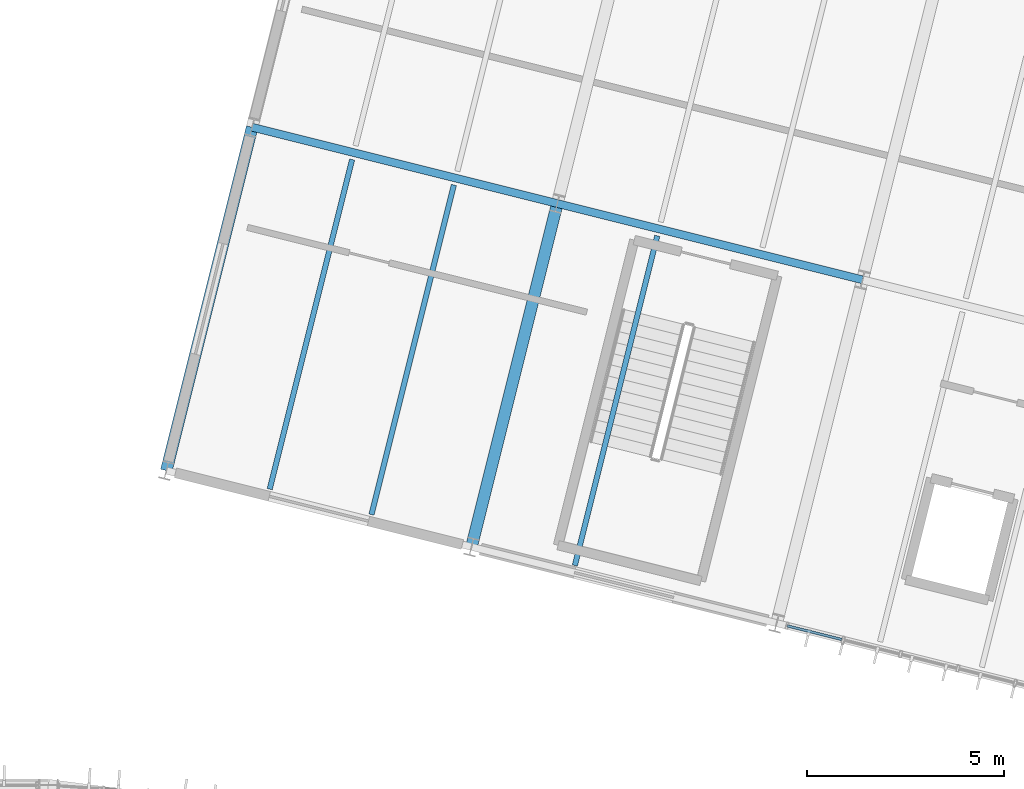
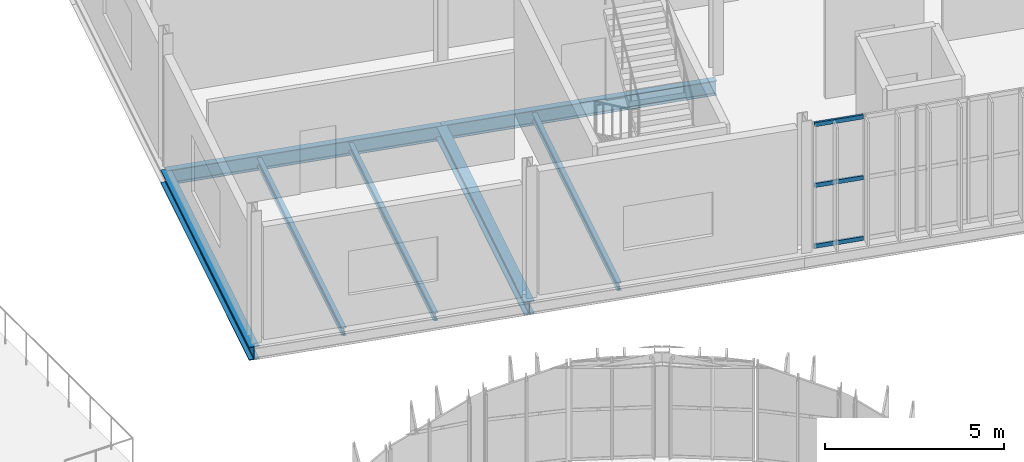
# One storey, part 78 of 152: 7 beams, 3 members, 1 element without a shape of its own.
"""IFC4 building model written with IfcOpenShell, lengths in metres."""

from ifc_helpers import new_model, si_unit, derived_unit, direction, frame, origin, origin_2d, place, context, subcontext, project, spatial, hollow_rectangle, i_section, extrude, material, material_profile, profile_set, type_object, element, aggregate, save


model = new_model("IFC4")

# Units and contexts
model_context = context("Model", 3, precision=1e-05, world=origin(), true_north=direction((0.0, 1.0)))
body_context = subcontext(model_context, "Body", "Model", "MODEL_VIEW")
ifc_project = project(units=[si_unit("LENGTHUNIT", "METRE"), si_unit("AREAUNIT", "SQUARE_METRE"), si_unit("VOLUMEUNIT", "CUBIC_METRE"), si_unit("PLANEANGLEUNIT", "RADIAN"), si_unit("MASSUNIT", "GRAM", prefix="KILO"), si_unit("THERMODYNAMICTEMPERATUREUNIT", "KELVIN"), si_unit("TIMEUNIT", "SECOND"), derived_unit("THERMALTRANSMITTANCEUNIT", [(si_unit("MASSUNIT", "GRAM", prefix="KILO"), 1), (si_unit("THERMODYNAMICTEMPERATUREUNIT", "KELVIN"), -1), (si_unit("TIMEUNIT", "SECOND"), -3)])], contexts=[model_context])

# Site, building, storey
site_placement = place(None, origin())
site = spatial("IfcSite", under=ifc_project, at=site_placement, CompositionType="ELEMENT")
building_placement = place(site_placement, origin())
building = spatial("IfcBuilding", under=site, at=building_placement, Name="Cambertide Market Hall", CompositionType="ELEMENT")
storey_placement = place(building_placement, frame((0.0, 0.0, 5.39990234375)))
storey = spatial("IfcBuildingStorey", under=building, at=storey_placement, Name="L02", CompositionType="ELEMENT", Elevation=5.39990234375)

# Curtain wall, members
ifc_material_1 = material(Name="Marine Anodized Aluminium 6063-T6 AA25", Category="aluminium")
curtain_wall_type = type_object("IfcCurtainWallType", Name="Cooking School Classroom Curtain Wall", PredefinedType="USERDEFINED", material=ifc_material_1)
curtain_wall_placement = place(storey_placement, origin())
curtain_wall = element("IfcCurtainWall", 1, at=curtain_wall_placement, inside=storey, type_object=curtain_wall_type, Name="Level 2 Curtain Wall CW-V4S-L02-3", ObjectType="UNITIZED CURTAIN WALL", PredefinedType="USERDEFINED")
ifc_material_2 = material(Name="Champagne Marine Anodized Aluminium 6063-T6 AA25", Category="aluminium")
ifc_material_profile_1 = material_profile(ifc_material_2, hollow_rectangle(XDim=0.06494140625, YDim=0.139892578125, WallThickness=0.00341796875, at=origin_2d()), Name="ALU TRANSOM 65x140")
ifc_profile_set_1 = profile_set([ifc_material_profile_1], Name="Champagne Marine Anodized Aluminium 6063-T6 AA25")
member_type = type_object("IfcMemberType", Name="Curtain Wall Transom ALU TRANSOM 65x140", PredefinedType="USERDEFINED", material=ifc_profile_set_1)
member_1_placement = place(storey_placement, frame((125.17529296875, 95.7060546875, 0.03515625), z_axis=(-0.970122324991, 0.242616311393, 0.0), x_axis=(-0.242616311393, -0.970122324991, 0.0)))
member_1 = element("IfcMember", 2, at=member_1_placement, type_object=member_type, Name="CW-V4S-L02-3 Transom 1-5", ObjectType="TRANSOM", PredefinedType="USERDEFINED", context=body_context, shape_type="SweptSolid", body=[
    extrude(hollow_rectangle(XDim=0.06494140625, YDim=0.139892578125, WallThickness=0.00341796875, at=origin_2d()), origin(), (0.0, 0.0, 1.0), 1.423828125),
])
member_2_placement = place(storey_placement, frame((125.17529296875, 95.7060546875, 2.110107421875), z_axis=(-0.970122324991, 0.242616311393, 0.0), x_axis=(-0.242616311393, -0.970122324991, 0.0)))
member_2 = element("IfcMember", 3, at=member_2_placement, type_object=member_type, Name="CW-V4S-L02-3 Transom 2-5", ObjectType="TRANSOM", PredefinedType="USERDEFINED", context=body_context, shape_type="SweptSolid", body=[
    extrude(hollow_rectangle(XDim=0.06494140625, YDim=0.139892578125, WallThickness=0.00341796875, at=origin_2d()), origin(), (0.0, 0.0, 1.0), 1.423828125),
])
member_3_placement = place(storey_placement, frame((125.17529296875, 95.7060546875, 4.18505859375), z_axis=(-0.970122324991, 0.242616311393, 0.0), x_axis=(-0.242616311393, -0.970122324991, 0.0)))
member_3 = element("IfcMember", 4, at=member_3_placement, type_object=member_type, Name="CW-V4S-L02-3 Transom 3-5", ObjectType="TRANSOM", PredefinedType="USERDEFINED", context=body_context, shape_type="SweptSolid", body=[
    extrude(hollow_rectangle(XDim=0.06494140625, YDim=0.139892578125, WallThickness=0.00341796875, at=origin_2d()), origin(), (0.0, 0.0, 1.0), 1.423828125),
])
aggregate(curtain_wall, [member_1, member_2, member_3])

# Beams
ifc_material_3 = material(Name="Steel S355", Category="steel")
ifc_material_profile_2 = material_profile(ifc_material_3, i_section(OverallWidth=0.300048828125, OverallDepth=0.449951171875, WebThickness=0.013916015625, FlangeThickness=0.02587890625, FilletRadius=0.027099609375, at=origin_2d()), Name="HEB 450")
ifc_profile_set_2 = profile_set([ifc_material_profile_2], Name="Steel S355")
beam_type_1 = type_object("IfcBeamType", Name="Steel Girder HEB 450", PredefinedType="BEAM", material=ifc_profile_set_2)
beam_1_placement = place(storey_placement, frame((108.0, 100.0, -0.489990234375), z_axis=(0.242542007841, 0.970140904422, 0.0), x_axis=(-0.970140904422, 0.242542007841, 0.0)))
element("IfcBeam", 5, at=beam_1_placement, inside=storey, type_object=beam_type_1, Name="Level 2 Beam BM-V4V-L02-1-1", PredefinedType="BEAM", context=body_context, shape_type="SweptSolid", body=[
    extrude(i_section(OverallWidth=0.300048828125, OverallDepth=0.449951171875, WebThickness=0.013916015625, FlangeThickness=0.02587890625, FilletRadius=0.027099609375, at=origin_2d()), origin(), (0.0, 0.0, 1.0), 9.0),
])
beam_2_placement = place(storey_placement, frame((115.76123046875, 98.059814453125, -0.489990234375), z_axis=(0.242516476432, 0.970147287096, 0.0), x_axis=(-0.970147287096, 0.242516476432, 0.0)))
element("IfcBeam", 6, at=beam_2_placement, inside=storey, type_object=beam_type_1, Name="Level 2 Beam BM-V4V-L02-2-1", PredefinedType="BEAM", context=body_context, shape_type="SweptSolid", body=[
    extrude(i_section(OverallWidth=0.300048828125, OverallDepth=0.449951171875, WebThickness=0.013916015625, FlangeThickness=0.02587890625, FilletRadius=0.027099609375, at=origin_2d()), origin(), (0.0, 0.0, 1.0), 8.999755859375),
])
ifc_material_4 = material(Name="Steel S355", Category="steel")
ifc_material_profile_3 = material_profile(ifc_material_4, i_section(OverallWidth=0.199951171875, OverallDepth=0.5, WebThickness=0.01025390625, FlangeThickness=0.01611328125, FilletRadius=0.02099609375, at=origin_2d()), Name="IPE 500")
ifc_profile_set_3 = profile_set([ifc_material_profile_3], Name="Steel S355")
beam_type_2 = type_object("IfcBeamType", Name="Steel Girder IPE 500", PredefinedType="BEAM", material=ifc_profile_set_3)
beam_3_placement = place(storey_placement, frame((110.182861328125, 108.731201171875, -0.514892578125), z_axis=(0.970144295309, -0.242528444268, 0.0), x_axis=(0.242528444268, 0.970144295309, 0.0)))
element("IfcBeam", 7, at=beam_3_placement, inside=storey, type_object=beam_type_2, Name="Level 2 Beam BM-V4U-L02-1-2", PredefinedType="BEAM", context=body_context, shape_type="SweptSolid", body=[
    extrude(i_section(OverallWidth=0.199951171875, OverallDepth=0.5, WebThickness=0.01025390625, FlangeThickness=0.01611328125, FilletRadius=0.02099609375, at=origin_2d()), origin(), (0.0, 0.0, 1.0), 7.999755859375),
])
beam_4_placement = place(storey_placement, frame((117.94384765625, 106.791015625, -0.514892578125), z_axis=(0.970146090314, -0.242521263911, 0.0), x_axis=(0.242521263911, 0.970146090314, 0.0)))
element("IfcBeam", 8, at=beam_4_placement, inside=storey, type_object=beam_type_2, Name="Level 2 Beam BM-V4U-L02-2-2", PredefinedType="BEAM", context=body_context, shape_type="SweptSolid", body=[
    extrude(i_section(OverallWidth=0.199951171875, OverallDepth=0.5, WebThickness=0.01025390625, FlangeThickness=0.01611328125, FilletRadius=0.02099609375, at=origin_2d()), origin(), (0.0, 0.0, 1.0), 8.0),
])
ifc_material_5 = material(Name="Steel S275", Category="steel")
ifc_material_profile_4 = material_profile(ifc_material_5, i_section(OverallWidth=0.135009765625, OverallDepth=0.27001953125, WebThickness=0.006591796875, FlangeThickness=0.01025390625, FilletRadius=0.014892578125, at=origin_2d()), Name="IPE 270")
ifc_profile_set_4 = profile_set([ifc_material_profile_4], Name="Steel S275")
beam_type_3 = type_object("IfcBeamType", Name="Steel Secondary Joist IPE 270", PredefinedType="JOIST", material=ifc_profile_set_4)
for number, where, z_axis, x_axis, name in (
    (9, (110.630615234375, 99.52783203125, -0.39990234375), (0.242555570896, 0.970137513463, 0.0), (-0.970137513463, 0.242555570896, 0.0), "Level 2 Joist JS-V4-L02-1-1-1"),
    (10, (113.2177734375, 98.881103515625, -0.39990234375), (0.242528976348, 0.970144162293, 0.0), (-0.970144162293, 0.242528976348, 0.0), "Level 2 Joist JS-V4-L02-1-1-2"),
    (11, (118.391845703125, 97.587646484375, -0.39990234375), (0.242528976348, 0.970144162293, 0.0), (-0.970144162293, 0.242528976348, 0.0), "Level 2 Joist JS-V4-L02-2-1-1"),
):
    element("IfcBeam", number, at=place(storey_placement, frame(where, z_axis=z_axis, x_axis=x_axis)), inside=storey, type_object=beam_type_3, Name=name, PredefinedType="JOIST", context=body_context, shape_type="SweptSolid", body=[
        extrude(i_section(OverallWidth=0.135009765625, OverallDepth=0.27001953125, WebThickness=0.006591796875, FlangeThickness=0.01025390625, FilletRadius=0.014892578125, at=origin_2d()), origin(), (0.0, 0.0, 1.0), 8.64013671875),
    ])

save(model, "model.ifc")
